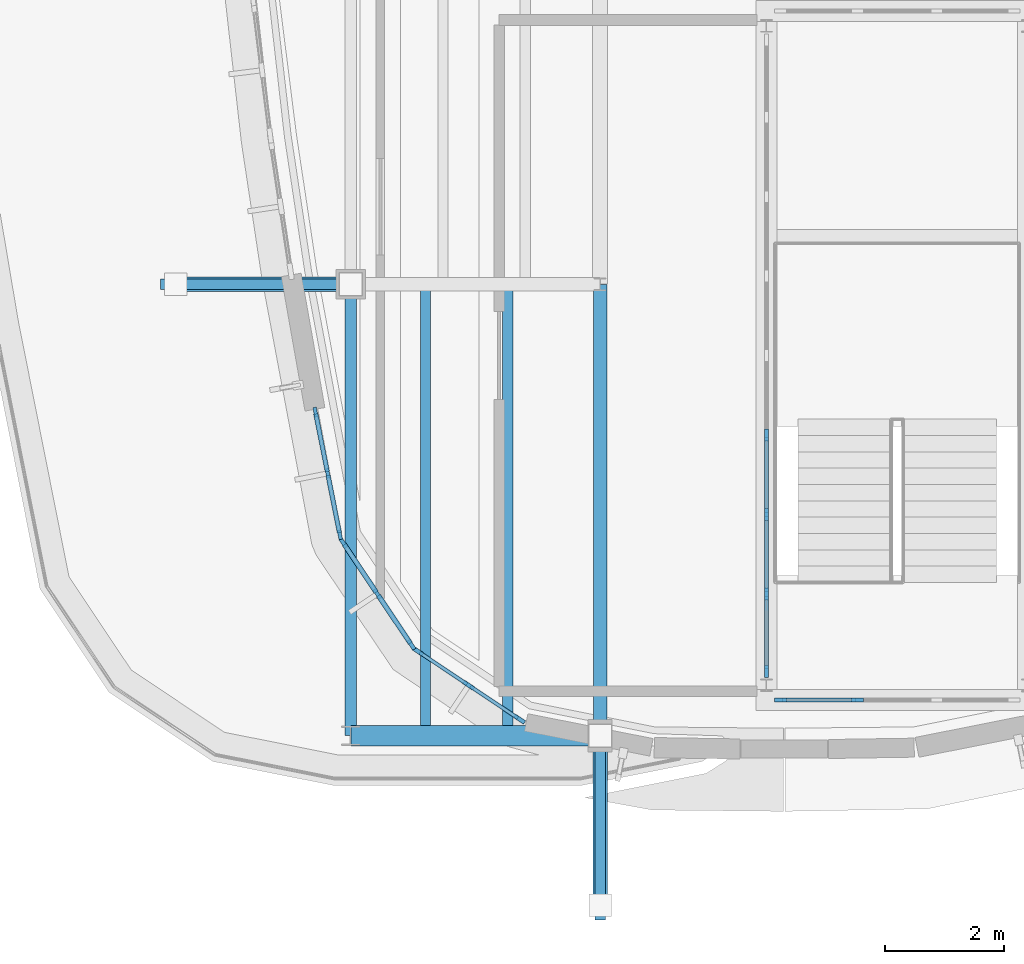
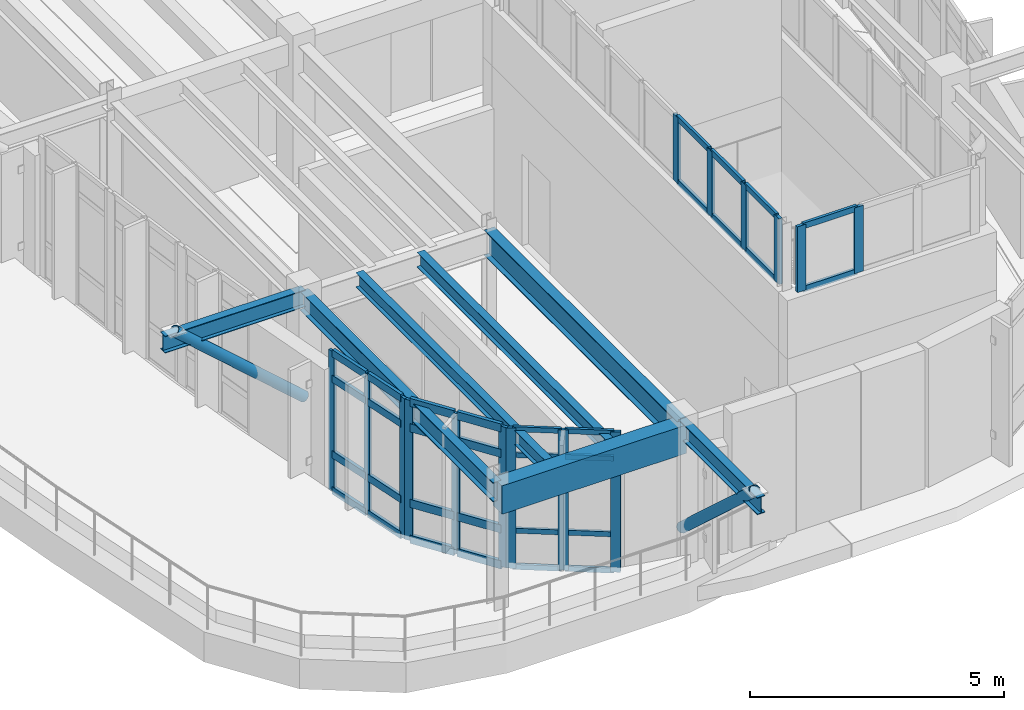
# One storey, part 3 of 20: 49 members, 7 beams, 5 elements without a shape of their own.
"""IFC4 building model written with IfcOpenShell, lengths in metres."""

from ifc_helpers import new_model, si_unit, direction, frame, origin, origin_2d, place, context, subcontext, project, spatial, rectangle, hollow_circle, i_section, extrude, material, material_profile, profile_set, type_object, element, aggregate, save


model = new_model("IFC4")

# Units and contexts
model_context = context("Model", 3, precision=1e-05, world=origin(), true_north=direction((0.0, 1.0)))
body_context = subcontext(model_context, "Body", "Model", "MODEL_VIEW")
ifc_project = project(units=[si_unit("LENGTHUNIT", "METRE"), si_unit("AREAUNIT", "SQUARE_METRE"), si_unit("VOLUMEUNIT", "CUBIC_METRE"), si_unit("PLANEANGLEUNIT", "RADIAN"), si_unit("MASSUNIT", "GRAM", prefix="KILO")], contexts=[model_context])

# Site, building, storey
site_placement = place(None, origin())
site = spatial("IfcSite", under=ifc_project, at=site_placement, CompositionType="ELEMENT")
building_placement = place(site_placement, origin())
building = spatial("IfcBuilding", under=site, at=building_placement, Name="Corveleigh Park Community Centre", CompositionType="ELEMENT")
storey_placement = place(building_placement, frame((0.0, 0.0, 19.800048828125)))
storey = spatial("IfcBuildingStorey", under=building, at=storey_placement, Name="L05", CompositionType="ELEMENT", Elevation=19.800048828125)

# Beams
ifc_material_1 = material(Name="Steel S355", Category="steel")
ifc_material_profile_1 = material_profile(ifc_material_1, i_section(OverallWidth=0.171142578125, OverallDepth=0.351318359375, WebThickness=0.007080078125, FlangeThickness=0.009765625, at=origin_2d()), Name="UKB 356x171x45", Category="steel")
ifc_profile_set_1 = profile_set([ifc_material_profile_1], Name="Steel S355")
beam_type_1 = type_object("IfcBeamType", Name="BM-STL-UKB356x45", PredefinedType="JOIST", material=ifc_profile_set_1)
for number, where, z_axis, x_axis, name in (
    (1, (155.06005859375, 58.60498046875, 3.13623046875), (0.0, 1.0, 0.0), (-1.0, 0.0, 0.0), "Secondary floor joist"),
    (2, (156.446044921875, 58.60498046875, 3.13623046875), (0.0, 1.0, 0.0), (-1.0, 0.0, 0.0), "Secondary floor joist"),
):
    element("IfcBeam", number, at=place(storey_placement, frame(where, z_axis=z_axis, x_axis=x_axis)), inside=storey, type_object=beam_type_1, Name=name, PredefinedType="JOIST", context=body_context, shape_type="SweptSolid", body=[
        extrude(i_section(OverallWidth=0.171142578125, OverallDepth=0.351318359375, WebThickness=0.007080078125, FlangeThickness=0.009765625, at=origin_2d()), origin(), (0.0, 0.0, 1.0), 7.590087890625),
    ])
ifc_material_profile_2 = material_profile(ifc_material_1, i_section(OverallWidth=0.1787109375, OverallDepth=0.409423828125, WebThickness=0.0087890625, FlangeThickness=0.014404296875, at=origin_2d()), Name="UKB 406x178x67", Category="steel")
ifc_profile_set_2 = profile_set([ifc_material_profile_2], Name="Steel S355")
beam_type_2 = type_object("IfcBeamType", Name="BM-STL-UKB406x67", PredefinedType="BEAM", material=ifc_profile_set_2)
beam_1_placement = place(storey_placement, frame((153.7900390625, 66.199951171875, 3.1591796875), z_axis=(-1.0, 0.0, 0.0), x_axis=(0.0, -1.0, 0.0)))
element("IfcBeam", 3, at=beam_1_placement, inside=storey, type_object=beam_type_2, Name="V4 Crown Overhang Strut X5Y1 Outrigger", PredefinedType="BEAM", context=body_context, shape_type="SweptSolid", body=[
    extrude(i_section(OverallWidth=0.1787109375, OverallDepth=0.409423828125, WebThickness=0.0087890625, FlangeThickness=0.014404296875, at=origin_2d()), origin(), (0.0, 0.0, 1.0), 3.18994140625),
])
beam_2_placement = place(storey_placement, frame((158.0, 58.590087890625, 3.1591796875), z_axis=(0.0, -1.0, 0.0), x_axis=(1.0, 0.0, 0.0)))
element("IfcBeam", 4, at=beam_2_placement, inside=storey, type_object=beam_type_2, Name="V4 Crown End Overhang Strut X6Y0 Outrigger", PredefinedType="BEAM", context=body_context, shape_type="SweptSolid", body=[
    extrude(i_section(OverallWidth=0.1787109375, OverallDepth=0.409423828125, WebThickness=0.0087890625, FlangeThickness=0.014404296875, at=origin_2d()), origin(), (0.0, 0.0, 1.0), 3.090087890625),
])
ifc_material_profile_3 = material_profile(ifc_material_1, i_section(OverallWidth=0.19140625, OverallDepth=0.4599609375, WebThickness=0.010009765625, FlangeThickness=0.01611328125, at=origin_2d()), Name="UKB 457x191x82", Category="steel")
ifc_profile_set_3 = profile_set([ifc_material_profile_3], Name="Steel S355")
beam_type_3 = type_object("IfcBeamType", Name="BM-STL-UKB457x82", PredefinedType="BEAM", material=ifc_profile_set_3)
beam_3_placement = place(storey_placement, frame((153.800048828125, 58.60498046875, 3.08203125), z_axis=(0.0, 1.0, 0.0), x_axis=(-1.0, 0.0, 0.0)))
element("IfcBeam", 5, at=beam_3_placement, inside=storey, type_object=beam_type_3, Name="V4 Girder Y", PredefinedType="BEAM", context=body_context, shape_type="SweptSolid", body=[
    extrude(i_section(OverallWidth=0.19140625, OverallDepth=0.4599609375, WebThickness=0.010009765625, FlangeThickness=0.01611328125, at=origin_2d()), origin(), (0.0, 0.0, 1.0), 7.590087890625),
])
ifc_material_profile_4 = material_profile(ifc_material_1, i_section(OverallWidth=0.22900390625, OverallDepth=0.6123046875, WebThickness=0.011962890625, FlangeThickness=0.01953125, at=origin_2d()), Name="UKB 610x229x125", Category="steel")
ifc_profile_set_4 = profile_set([ifc_material_profile_4], Name="Steel S355")
beam_type_4 = type_object("IfcBeamType", Name="BM-STL-UKB610x125", PredefinedType="BEAM", material=ifc_profile_set_4)
beam_4_placement = place(storey_placement, frame((158.0, 58.60498046875, 3.005859375), z_axis=(0.0, 1.0, 0.0), x_axis=(-1.0, 0.0, 0.0)))
element("IfcBeam", 6, at=beam_4_placement, inside=storey, type_object=beam_type_4, Name="V4 Girder Y", PredefinedType="BEAM", context=body_context, shape_type="SweptSolid", body=[
    extrude(i_section(OverallWidth=0.22900390625, OverallDepth=0.6123046875, WebThickness=0.011962890625, FlangeThickness=0.01953125, at=origin_2d()), origin(), (0.0, 0.0, 1.0), 7.590087890625),
])

# Curtain wall, members
ifc_material_2 = material(Name="Anodised aluminium 6063-T6", Category="aluminium")
curtain_wall_type = type_object("IfcCurtainWallType", Name="CW-SYS-V4-L03", PredefinedType="NOTDEFINED", material=ifc_material_2)
curtain_wall_1_placement = place(storey_placement, origin())
curtain_wall_1 = element("IfcCurtainWall", 7, at=curtain_wall_1_placement, inside=storey, type_object=curtain_wall_type, Name="V4 L05 Curtain Wall 499", PredefinedType="NOTDEFINED")
ifc_material_profile_5 = material_profile(ifc_material_2, rectangle(XDim=0.06005859375, YDim=0.159912109375, at=origin_2d()), Name="ALU-M60x160", Category="aluminium")
ifc_profile_set_5 = profile_set([ifc_material_profile_5], Name="Anodised aluminium 6063-T6")
member_type_1 = type_object("IfcMemberType", Name="CWM-60x160", PredefinedType="MULLION", material=ifc_profile_set_5)
member_1_placement = place(storey_placement, frame((153.6181640625, 61.984375, 0.0), z_axis=(0.0, 0.0, 1.0), x_axis=(-0.980846064785, -0.194784489103, 0.0)))
member_1 = element("IfcMember", 8, at=member_1_placement, type_object=member_type_1, Name="CW09 mullion 1", PredefinedType="MULLION", context=body_context, shape_type="SweptSolid", body=[
    extrude(rectangle(XDim=0.06005859375, YDim=0.159912109375, at=origin_2d()), origin(), (0.0, 0.0, 1.0), 3.364013671875),
])
member_2_placement = place(storey_placement, frame((153.4130859375, 63.017578125, 0.0), z_axis=(0.0, 0.0, 1.0), x_axis=(-0.980846064785, -0.194784489103, 0.0)))
member_2 = element("IfcMember", 9, at=member_2_placement, type_object=member_type_1, Name="CW09 mullion 2", PredefinedType="MULLION", context=body_context, shape_type="SweptSolid", body=[
    extrude(rectangle(XDim=0.06005859375, YDim=0.159912109375, at=origin_2d()), origin(), (0.0, 0.0, 1.0), 3.364013671875),
])
member_3_placement = place(storey_placement, frame((153.207763671875, 64.050537109375, 0.0), z_axis=(0.0, 0.0, 1.0), x_axis=(-0.980846064785, -0.194784489103, 0.0)))
member_3 = element("IfcMember", 10, at=member_3_placement, type_object=member_type_1, Name="CW09 mullion 3", PredefinedType="MULLION", context=body_context, shape_type="SweptSolid", body=[
    extrude(rectangle(XDim=0.06005859375, YDim=0.159912109375, at=origin_2d()), origin(), (0.0, 0.0, 1.0), 3.364013671875),
])

curtain_wall_2_placement = place(storey_placement, origin())
curtain_wall_2 = element("IfcCurtainWall", 11, at=curtain_wall_2_placement, inside=storey, type_object=curtain_wall_type, Name="V4 L05 Curtain Wall 500", PredefinedType="NOTDEFINED")
ifc_material_profile_6 = material_profile(ifc_material_2, rectangle(XDim=0.06494140625, YDim=0.179931640625, at=origin_2d()), Name="ALU-M65x180", Category="aluminium")
ifc_profile_set_6 = profile_set([ifc_material_profile_6], Name="Anodised aluminium 6063-T6")
member_type_2 = type_object("IfcMemberType", Name="CWM-65x180", PredefinedType="MULLION", material=ifc_profile_set_6)
member_4_placement = place(storey_placement, frame((154.822998046875, 60.130126953125, 0.0), z_axis=(0.0, 0.0, 1.0), x_axis=(-0.831544296886, -0.555458443376, 0.0)))
member_4 = element("IfcMember", 12, at=member_4_placement, type_object=member_type_2, Name="CW09 mullion 1", PredefinedType="MULLION", context=body_context, shape_type="SweptSolid", body=[
    extrude(rectangle(XDim=0.06494140625, YDim=0.179931640625, at=origin_2d()), origin(), (0.0, 0.0, 1.0), 3.364013671875),
])
member_5_placement = place(storey_placement, frame((154.24951171875, 60.988525390625, 0.0), z_axis=(0.0, 0.0, 1.0), x_axis=(-0.831544296886, -0.555458443376, 0.0)))
member_5 = element("IfcMember", 13, at=member_5_placement, type_object=member_type_2, Name="CW09 mullion 2", PredefinedType="MULLION", context=body_context, shape_type="SweptSolid", body=[
    extrude(rectangle(XDim=0.06494140625, YDim=0.179931640625, at=origin_2d()), origin(), (0.0, 0.0, 1.0), 3.364013671875),
])
member_6_placement = place(storey_placement, frame((153.676025390625, 61.846923828125, 0.0), z_axis=(0.0, 0.0, 1.0), x_axis=(-0.831544296886, -0.555458443376, 0.0)))
member_6 = element("IfcMember", 14, at=member_6_placement, type_object=member_type_2, Name="CW09 mullion 3", PredefinedType="MULLION", context=body_context, shape_type="SweptSolid", body=[
    extrude(rectangle(XDim=0.06494140625, YDim=0.179931640625, at=origin_2d()), origin(), (0.0, 0.0, 1.0), 3.364013671875),
])

curtain_wall_3_placement = place(storey_placement, origin())
curtain_wall_3 = element("IfcCurtainWall", 15, at=curtain_wall_3_placement, inside=storey, type_object=curtain_wall_type, Name="V4 L05 Curtain Wall 501", PredefinedType="NOTDEFINED")
ifc_material_profile_7 = material_profile(ifc_material_2, rectangle(XDim=0.070068359375, YDim=0.199951171875, at=origin_2d()), Name="ALU-M70x200", Category="aluminium")
ifc_profile_set_7 = profile_set([ifc_material_profile_7], Name="Anodised aluminium 6063-T6")
member_type_3 = type_object("IfcMemberType", Name="CWM-70x200", PredefinedType="MULLION", material=ifc_profile_set_7)
member_7_placement = place(storey_placement, frame((156.644775390625, 58.87744140625, 0.0), z_axis=(0.0, 0.0, 1.0), x_axis=(-0.555458443376, -0.831544296886, 0.0)))
member_7 = element("IfcMember", 16, at=member_7_placement, type_object=member_type_3, Name="CW09 mullion 1", PredefinedType="MULLION", context=body_context, shape_type="SweptSolid", body=[
    extrude(rectangle(XDim=0.070068359375, YDim=0.199951171875, at=origin_2d()), origin(), (0.0, 0.0, 1.0), 3.364013671875),
])
member_8_placement = place(storey_placement, frame((155.78857421875, 59.449462890625, 0.0), z_axis=(0.0, 0.0, 1.0), x_axis=(-0.555458443376, -0.831544296886, 0.0)))
member_8 = element("IfcMember", 17, at=member_8_placement, type_object=member_type_3, Name="CW09 mullion 2", PredefinedType="MULLION", context=body_context, shape_type="SweptSolid", body=[
    extrude(rectangle(XDim=0.070068359375, YDim=0.199951171875, at=origin_2d()), origin(), (0.0, 0.0, 1.0), 3.364013671875),
])
member_9_placement = place(storey_placement, frame((154.93212890625, 60.021484375, 0.0), z_axis=(0.0, 0.0, 1.0), x_axis=(-0.555458443376, -0.831544296886, 0.0)))
member_9 = element("IfcMember", 18, at=member_9_placement, type_object=member_type_3, Name="CW09 mullion 3", PredefinedType="MULLION", context=body_context, shape_type="SweptSolid", body=[
    extrude(rectangle(XDim=0.070068359375, YDim=0.199951171875, at=origin_2d()), origin(), (0.0, 0.0, 1.0), 3.364013671875),
])

curtain_wall_4_placement = place(storey_placement, origin())
curtain_wall_4 = element("IfcCurtainWall", 19, at=curtain_wall_4_placement, inside=storey, type_object=curtain_wall_type, Name="Crown Lantern S Clerestory", PredefinedType="NOTDEFINED")
member_10_placement = place(storey_placement, frame((161.034912109375, 59.199951171875, 5.0), z_axis=(0.0, 0.0, 1.0), x_axis=(0.0, 1.0, 0.0)))
member_10 = element("IfcMember", 20, at=member_10_placement, type_object=member_type_3, Name="CW09 mullion 1", PredefinedType="MULLION", context=body_context, shape_type="SweptSolid", body=[
    extrude(rectangle(XDim=0.070068359375, YDim=0.199951171875, at=origin_2d()), origin(), (0.0, 0.0, 1.0), 1.579833984375),
])
member_11_placement = place(storey_placement, frame((162.333251953125, 59.199951171875, 5.0), z_axis=(0.0, 0.0, 1.0), x_axis=(0.0, 1.0, 0.0)))
member_11 = element("IfcMember", 21, at=member_11_placement, type_object=member_type_3, Name="CW09 mullion 2", PredefinedType="MULLION", context=body_context, shape_type="SweptSolid", body=[
    extrude(rectangle(XDim=0.070068359375, YDim=0.199951171875, at=origin_2d()), origin(), (0.0, 0.0, 1.0), 1.579833984375),
])

curtain_wall_5_placement = place(storey_placement, origin())
curtain_wall_5 = element("IfcCurtainWall", 22, at=curtain_wall_5_placement, inside=storey, type_object=curtain_wall_type, Name="Crown Lantern W Clerestory", PredefinedType="NOTDEFINED")
member_12_placement = place(storey_placement, frame((160.800048828125, 63.66259765625, 5.0), z_axis=(0.0, 0.0, 1.0), x_axis=(1.0, 0.0, 0.0)))
member_12 = element("IfcMember", 23, at=member_12_placement, type_object=member_type_3, Name="CW09 mullion 6", PredefinedType="MULLION", context=body_context, shape_type="SweptSolid", body=[
    extrude(rectangle(XDim=0.070068359375, YDim=0.199951171875, at=origin_2d()), origin(), (0.0, 0.0, 1.0), 1.579833984375),
])
member_13_placement = place(storey_placement, frame((160.800048828125, 62.324951171875, 5.0), z_axis=(0.0, 0.0, 1.0), x_axis=(1.0, 0.0, 0.0)))
member_13 = element("IfcMember", 24, at=member_13_placement, type_object=member_type_3, Name="CW09 mullion 7", PredefinedType="MULLION", context=body_context, shape_type="SweptSolid", body=[
    extrude(rectangle(XDim=0.070068359375, YDim=0.199951171875, at=origin_2d()), origin(), (0.0, 0.0, 1.0), 1.579833984375),
])
member_14_placement = place(storey_placement, frame((160.800048828125, 60.987548828125, 5.0), z_axis=(0.0, 0.0, 1.0), x_axis=(1.0, 0.0, 0.0)))
member_14 = element("IfcMember", 25, at=member_14_placement, type_object=member_type_3, Name="CW09 mullion 8", PredefinedType="MULLION", context=body_context, shape_type="SweptSolid", body=[
    extrude(rectangle(XDim=0.070068359375, YDim=0.199951171875, at=origin_2d()), origin(), (0.0, 0.0, 1.0), 1.579833984375),
])
member_15_placement = place(storey_placement, frame((160.800048828125, 59.68505859375, 5.0), z_axis=(0.0, 0.0, 1.0), x_axis=(1.0, 0.0, 0.0)))
member_15 = element("IfcMember", 26, at=member_15_placement, type_object=member_type_3, Name="CW09 mullion 9", PredefinedType="MULLION", context=body_context, shape_type="SweptSolid", body=[
    extrude(rectangle(XDim=0.070068359375, YDim=0.199951171875, at=origin_2d()), origin(), (0.0, 0.0, 1.0), 1.579833984375),
])

# Member
ifc_material_profile_8 = material_profile(ifc_material_2, rectangle(XDim=0.06005859375, YDim=0.1201171875, at=origin_2d()), Name="ALU-T60x120", Category="aluminium")
ifc_profile_set_8 = profile_set([ifc_material_profile_8], Name="Anodised aluminium 6063-T6")
member_type_4 = type_object("IfcMemberType", Name="CWT-60x120", PredefinedType="USERDEFINED", material=ifc_profile_set_8)
member_16_placement = place(storey_placement, frame((156.61572265625, 58.89697265625, 0.030029296875), z_axis=(-0.831502036743, 0.555521703349, 0.0), x_axis=(-0.555521703349, -0.831502036743, 0.0)))
member_16 = element("IfcMember", 27, at=member_16_placement, type_object=member_type_4, Name="CW09 transom 1.1", ObjectType="TRANSOM", PredefinedType="USERDEFINED", context=body_context, shape_type="SweptSolid", body=[
    extrude(rectangle(XDim=0.06005859375, YDim=0.1201171875, at=origin_2d()), origin(), (0.0, 0.0, 1.0), 0.959716796875),
])

member_17_placement = place(storey_placement, frame((156.61572265625, 58.89697265625, 0.89990234375), z_axis=(-0.831502036743, 0.555521703349, 0.0), x_axis=(-0.555521703349, -0.831502036743, 0.0)))
member_17 = element("IfcMember", 28, at=member_17_placement, type_object=member_type_4, Name="CW09 transom 1.2", ObjectType="TRANSOM", PredefinedType="USERDEFINED", context=body_context, shape_type="SweptSolid", body=[
    extrude(rectangle(XDim=0.06005859375, YDim=0.1201171875, at=origin_2d()), origin(), (0.0, 0.0, 1.0), 0.959716796875),
])

member_18_placement = place(storey_placement, frame((156.61572265625, 58.89697265625, 2.7138671875), z_axis=(-0.831502036743, 0.555521703349, 0.0), x_axis=(-0.555521703349, -0.831502036743, 0.0)))
member_18 = element("IfcMember", 29, at=member_18_placement, type_object=member_type_4, Name="CW09 transom 1.3", ObjectType="TRANSOM", PredefinedType="USERDEFINED", context=body_context, shape_type="SweptSolid", body=[
    extrude(rectangle(XDim=0.06005859375, YDim=0.1201171875, at=origin_2d()), origin(), (0.0, 0.0, 1.0), 0.959716796875),
])

member_19_placement = place(storey_placement, frame((156.61572265625, 58.89697265625, 3.333984375), z_axis=(-0.831502036743, 0.555521703349, 0.0), x_axis=(-0.555521703349, -0.831502036743, 0.0)))
member_19 = element("IfcMember", 30, at=member_19_placement, type_object=member_type_4, Name="CW09 transom 1.4", ObjectType="TRANSOM", PredefinedType="USERDEFINED", context=body_context, shape_type="SweptSolid", body=[
    extrude(rectangle(XDim=0.06005859375, YDim=0.1201171875, at=origin_2d()), origin(), (0.0, 0.0, 1.0), 0.959716796875),
])

member_20_placement = place(storey_placement, frame((155.75927734375, 59.468994140625, 0.030029296875), z_axis=(-0.831502036743, 0.555521703349, 0.0), x_axis=(-0.555521703349, -0.831502036743, 0.0)))
member_20 = element("IfcMember", 31, at=member_20_placement, type_object=member_type_4, Name="CW09 transom 2.1", ObjectType="TRANSOM", PredefinedType="USERDEFINED", context=body_context, shape_type="SweptSolid", body=[
    extrude(rectangle(XDim=0.06005859375, YDim=0.1201171875, at=origin_2d()), origin(), (0.0, 0.0, 1.0), 0.959716796875),
])

member_21_placement = place(storey_placement, frame((155.75927734375, 59.468994140625, 0.89990234375), z_axis=(-0.831502036743, 0.555521703349, 0.0), x_axis=(-0.555521703349, -0.831502036743, 0.0)))
member_21 = element("IfcMember", 32, at=member_21_placement, type_object=member_type_4, Name="CW09 transom 2.2", ObjectType="TRANSOM", PredefinedType="USERDEFINED", context=body_context, shape_type="SweptSolid", body=[
    extrude(rectangle(XDim=0.06005859375, YDim=0.1201171875, at=origin_2d()), origin(), (0.0, 0.0, 1.0), 0.959716796875),
])

member_22_placement = place(storey_placement, frame((155.75927734375, 59.468994140625, 2.7138671875), z_axis=(-0.831502036743, 0.555521703349, 0.0), x_axis=(-0.555521703349, -0.831502036743, 0.0)))
member_22 = element("IfcMember", 33, at=member_22_placement, type_object=member_type_4, Name="CW09 transom 2.3", ObjectType="TRANSOM", PredefinedType="USERDEFINED", context=body_context, shape_type="SweptSolid", body=[
    extrude(rectangle(XDim=0.06005859375, YDim=0.1201171875, at=origin_2d()), origin(), (0.0, 0.0, 1.0), 0.959716796875),
])

member_23_placement = place(storey_placement, frame((155.75927734375, 59.468994140625, 3.333984375), z_axis=(-0.831502036743, 0.555521703349, 0.0), x_axis=(-0.555521703349, -0.831502036743, 0.0)))
member_23 = element("IfcMember", 34, at=member_23_placement, type_object=member_type_4, Name="CW09 transom 2.4", ObjectType="TRANSOM", PredefinedType="USERDEFINED", context=body_context, shape_type="SweptSolid", body=[
    extrude(rectangle(XDim=0.06005859375, YDim=0.1201171875, at=origin_2d()), origin(), (0.0, 0.0, 1.0), 0.959716796875),
])

aggregate(curtain_wall_3, [member_7, member_8, member_9, member_16, member_17, member_18, member_19, member_20, member_21, member_22, member_23])

ifc_material_profile_9 = material_profile(ifc_material_2, rectangle(XDim=0.06494140625, YDim=0.139892578125, at=origin_2d()), Name="ALU-T65x140", Category="aluminium")
ifc_profile_set_9 = profile_set([ifc_material_profile_9], Name="Anodised aluminium 6063-T6")
member_type_5 = type_object("IfcMemberType", Name="CWT-65x140", PredefinedType="USERDEFINED", material=ifc_profile_set_9)
member_24_placement = place(storey_placement, frame((161.070068359375, 59.199951171875, 5.032470703125), z_axis=(1.0, 0.0, 0.0), x_axis=(0.0, 1.0, 0.0)))
member_24 = element("IfcMember", 35, at=member_24_placement, type_object=member_type_5, Name="CW09 transom 1.1", ObjectType="TRANSOM", PredefinedType="USERDEFINED", context=body_context, shape_type="SweptSolid", body=[
    extrude(rectangle(XDim=0.06494140625, YDim=0.139892578125, at=origin_2d()), origin(), (0.0, 0.0, 1.0), 1.228271484375),
])

member_25_placement = place(storey_placement, frame((161.070068359375, 59.199951171875, 6.54736328125), z_axis=(1.0, 0.0, 0.0), x_axis=(0.0, 1.0, 0.0)))
member_25 = element("IfcMember", 36, at=member_25_placement, type_object=member_type_5, Name="CW09 transom 1.2", ObjectType="TRANSOM", PredefinedType="USERDEFINED", context=body_context, shape_type="SweptSolid", body=[
    extrude(rectangle(XDim=0.06494140625, YDim=0.139892578125, at=origin_2d()), origin(), (0.0, 0.0, 1.0), 1.228271484375),
])

aggregate(curtain_wall_4, [member_10, member_11, member_24, member_25])

member_26_placement = place(storey_placement, frame((160.800048828125, 63.62744140625, 5.032470703125), z_axis=(0.0, -1.0, 0.0), x_axis=(1.0, 0.0, 0.0)))
member_26 = element("IfcMember", 37, at=member_26_placement, type_object=member_type_5, Name="CW09 transom 6.1", ObjectType="TRANSOM", PredefinedType="USERDEFINED", context=body_context, shape_type="SweptSolid", body=[
    extrude(rectangle(XDim=0.06494140625, YDim=0.139892578125, at=origin_2d()), origin(), (0.0, 0.0, 1.0), 1.267333984375),
])

member_27_placement = place(storey_placement, frame((160.800048828125, 63.62744140625, 6.54736328125), z_axis=(0.0, -1.0, 0.0), x_axis=(1.0, 0.0, 0.0)))
member_27 = element("IfcMember", 38, at=member_27_placement, type_object=member_type_5, Name="CW09 transom 6.2", ObjectType="TRANSOM", PredefinedType="USERDEFINED", context=body_context, shape_type="SweptSolid", body=[
    extrude(rectangle(XDim=0.06494140625, YDim=0.139892578125, at=origin_2d()), origin(), (0.0, 0.0, 1.0), 1.267333984375),
])

member_28_placement = place(storey_placement, frame((160.800048828125, 62.2900390625, 5.032470703125), z_axis=(0.0, -1.0, 0.0), x_axis=(1.0, 0.0, 0.0)))
member_28 = element("IfcMember", 39, at=member_28_placement, type_object=member_type_5, Name="CW09 transom 7.1", ObjectType="TRANSOM", PredefinedType="USERDEFINED", context=body_context, shape_type="SweptSolid", body=[
    extrude(rectangle(XDim=0.06494140625, YDim=0.139892578125, at=origin_2d()), origin(), (0.0, 0.0, 1.0), 1.267578125),
])

member_29_placement = place(storey_placement, frame((160.800048828125, 62.2900390625, 6.54736328125), z_axis=(0.0, -1.0, 0.0), x_axis=(1.0, 0.0, 0.0)))
member_29 = element("IfcMember", 40, at=member_29_placement, type_object=member_type_5, Name="CW09 transom 7.2", ObjectType="TRANSOM", PredefinedType="USERDEFINED", context=body_context, shape_type="SweptSolid", body=[
    extrude(rectangle(XDim=0.06494140625, YDim=0.139892578125, at=origin_2d()), origin(), (0.0, 0.0, 1.0), 1.267578125),
])

member_30_placement = place(storey_placement, frame((160.800048828125, 60.952392578125, 5.032470703125), z_axis=(0.0, -1.0, 0.0), x_axis=(1.0, 0.0, 0.0)))
member_30 = element("IfcMember", 41, at=member_30_placement, type_object=member_type_5, Name="CW09 transom 8.1", ObjectType="TRANSOM", PredefinedType="USERDEFINED", context=body_context, shape_type="SweptSolid", body=[
    extrude(rectangle(XDim=0.06494140625, YDim=0.139892578125, at=origin_2d()), origin(), (0.0, 0.0, 1.0), 1.232421875),
])

member_31_placement = place(storey_placement, frame((160.800048828125, 60.952392578125, 6.54736328125), z_axis=(0.0, -1.0, 0.0), x_axis=(1.0, 0.0, 0.0)))
member_31 = element("IfcMember", 42, at=member_31_placement, type_object=member_type_5, Name="CW09 transom 8.2", ObjectType="TRANSOM", PredefinedType="USERDEFINED", context=body_context, shape_type="SweptSolid", body=[
    extrude(rectangle(XDim=0.06494140625, YDim=0.139892578125, at=origin_2d()), origin(), (0.0, 0.0, 1.0), 1.232421875),
])

aggregate(curtain_wall_5, [member_12, member_13, member_14, member_15, member_26, member_27, member_28, member_29, member_30, member_31])

ifc_material_profile_10 = material_profile(ifc_material_2, rectangle(XDim=0.074951171875, YDim=0.175048828125, at=origin_2d()), Name="ALU-T75x175", Category="aluminium")
ifc_profile_set_10 = profile_set([ifc_material_profile_10], Name="Anodised aluminium 6063-T6")
member_type_6 = type_object("IfcMemberType", Name="CWT-75x175", PredefinedType="USERDEFINED", material=ifc_profile_set_10)
member_32_placement = place(storey_placement, frame((153.6123046875, 62.013916015625, 0.037353515625), z_axis=(-0.194697677696, 0.980863300516, 0.0), x_axis=(-0.980863300516, -0.194697677696, 0.0)))
member_32 = element("IfcMember", 43, at=member_32_placement, type_object=member_type_6, Name="CW09 transom 1.1", ObjectType="TRANSOM", PredefinedType="USERDEFINED", context=body_context, shape_type="SweptSolid", body=[
    extrude(rectangle(XDim=0.074951171875, YDim=0.175048828125, at=origin_2d()), origin(), (0.0, 0.0, 1.0), 0.9931640625),
])

member_33_placement = place(storey_placement, frame((153.6123046875, 62.013916015625, 0.89990234375), z_axis=(-0.194697677696, 0.980863300516, 0.0), x_axis=(-0.980863300516, -0.194697677696, 0.0)))
member_33 = element("IfcMember", 44, at=member_33_placement, type_object=member_type_6, Name="CW09 transom 1.2", ObjectType="TRANSOM", PredefinedType="USERDEFINED", context=body_context, shape_type="SweptSolid", body=[
    extrude(rectangle(XDim=0.074951171875, YDim=0.175048828125, at=origin_2d()), origin(), (0.0, 0.0, 1.0), 0.9931640625),
])

member_34_placement = place(storey_placement, frame((153.6123046875, 62.013916015625, 2.7138671875), z_axis=(-0.194697677696, 0.980863300516, 0.0), x_axis=(-0.980863300516, -0.194697677696, 0.0)))
member_34 = element("IfcMember", 45, at=member_34_placement, type_object=member_type_6, Name="CW09 transom 1.3", ObjectType="TRANSOM", PredefinedType="USERDEFINED", context=body_context, shape_type="SweptSolid", body=[
    extrude(rectangle(XDim=0.074951171875, YDim=0.175048828125, at=origin_2d()), origin(), (0.0, 0.0, 1.0), 0.9931640625),
])

member_35_placement = place(storey_placement, frame((153.6123046875, 62.013916015625, 3.326416015625), z_axis=(-0.194697677696, 0.980863300516, 0.0), x_axis=(-0.980863300516, -0.194697677696, 0.0)))
member_35 = element("IfcMember", 46, at=member_35_placement, type_object=member_type_6, Name="CW09 transom 1.4", ObjectType="TRANSOM", PredefinedType="USERDEFINED", context=body_context, shape_type="SweptSolid", body=[
    extrude(rectangle(XDim=0.074951171875, YDim=0.175048828125, at=origin_2d()), origin(), (0.0, 0.0, 1.0), 0.9931640625),
])

member_36_placement = place(storey_placement, frame((153.4072265625, 63.046875, 0.037353515625), z_axis=(-0.194887184279, 0.980825665143, 0.0), x_axis=(-0.980825665143, -0.194887184279, 0.0)))
member_36 = element("IfcMember", 47, at=member_36_placement, type_object=member_type_6, Name="CW09 transom 2.1", ObjectType="TRANSOM", PredefinedType="USERDEFINED", context=body_context, shape_type="SweptSolid", body=[
    extrude(rectangle(XDim=0.074951171875, YDim=0.175048828125, at=origin_2d()), origin(), (0.0, 0.0, 1.0), 0.993408203125),
])

member_37_placement = place(storey_placement, frame((153.4072265625, 63.046875, 0.89990234375), z_axis=(-0.194887184279, 0.980825665143, 0.0), x_axis=(-0.980825665143, -0.194887184279, 0.0)))
member_37 = element("IfcMember", 48, at=member_37_placement, type_object=member_type_6, Name="CW09 transom 2.2", ObjectType="TRANSOM", PredefinedType="USERDEFINED", context=body_context, shape_type="SweptSolid", body=[
    extrude(rectangle(XDim=0.074951171875, YDim=0.175048828125, at=origin_2d()), origin(), (0.0, 0.0, 1.0), 0.993408203125),
])

member_38_placement = place(storey_placement, frame((153.4072265625, 63.046875, 2.7138671875), z_axis=(-0.194887184279, 0.980825665143, 0.0), x_axis=(-0.980825665143, -0.194887184279, 0.0)))
member_38 = element("IfcMember", 49, at=member_38_placement, type_object=member_type_6, Name="CW09 transom 2.3", ObjectType="TRANSOM", PredefinedType="USERDEFINED", context=body_context, shape_type="SweptSolid", body=[
    extrude(rectangle(XDim=0.074951171875, YDim=0.175048828125, at=origin_2d()), origin(), (0.0, 0.0, 1.0), 0.993408203125),
])

member_39_placement = place(storey_placement, frame((153.4072265625, 63.046875, 3.326416015625), z_axis=(-0.194887184279, 0.980825665143, 0.0), x_axis=(-0.980825665143, -0.194887184279, 0.0)))
member_39 = element("IfcMember", 50, at=member_39_placement, type_object=member_type_6, Name="CW09 transom 2.4", ObjectType="TRANSOM", PredefinedType="USERDEFINED", context=body_context, shape_type="SweptSolid", body=[
    extrude(rectangle(XDim=0.074951171875, YDim=0.175048828125, at=origin_2d()), origin(), (0.0, 0.0, 1.0), 0.993408203125),
])

aggregate(curtain_wall_1, [member_1, member_2, member_3, member_32, member_33, member_34, member_35, member_36, member_37, member_38, member_39])

ifc_material_profile_11 = material_profile(ifc_material_2, rectangle(XDim=0.080078125, YDim=0.195068359375, at=origin_2d()), Name="ALU-T80x195", Category="aluminium")
ifc_profile_set_11 = profile_set([ifc_material_profile_11], Name="Anodised aluminium 6063-T6")
member_type_7 = type_object("IfcMemberType", Name="CWT-80x195", PredefinedType="USERDEFINED", material=ifc_profile_set_11)
member_40_placement = place(storey_placement, frame((154.804931640625, 60.156982421875, 0.0400390625), z_axis=(-0.555457063909, 0.831545218346, 0.0), x_axis=(-0.831545218346, -0.555457063909, 0.0)))
member_40 = element("IfcMember", 51, at=member_40_placement, type_object=member_type_7, Name="CW09 transom 1.1", ObjectType="TRANSOM", PredefinedType="USERDEFINED", context=body_context, shape_type="SweptSolid", body=[
    extrude(rectangle(XDim=0.080078125, YDim=0.195068359375, at=origin_2d()), origin(), (0.0, 0.0, 1.0), 0.967529296875),
])

member_41_placement = place(storey_placement, frame((154.804931640625, 60.156982421875, 0.89990234375), z_axis=(-0.555457063909, 0.831545218346, 0.0), x_axis=(-0.831545218346, -0.555457063909, 0.0)))
member_41 = element("IfcMember", 52, at=member_41_placement, type_object=member_type_7, Name="CW09 transom 1.2", ObjectType="TRANSOM", PredefinedType="USERDEFINED", context=body_context, shape_type="SweptSolid", body=[
    extrude(rectangle(XDim=0.080078125, YDim=0.195068359375, at=origin_2d()), origin(), (0.0, 0.0, 1.0), 0.967529296875),
])

member_42_placement = place(storey_placement, frame((154.804931640625, 60.156982421875, 2.7138671875), z_axis=(-0.555457063909, 0.831545218346, 0.0), x_axis=(-0.831545218346, -0.555457063909, 0.0)))
member_42 = element("IfcMember", 53, at=member_42_placement, type_object=member_type_7, Name="CW09 transom 1.3", ObjectType="TRANSOM", PredefinedType="USERDEFINED", context=body_context, shape_type="SweptSolid", body=[
    extrude(rectangle(XDim=0.080078125, YDim=0.195068359375, at=origin_2d()), origin(), (0.0, 0.0, 1.0), 0.967529296875),
])

member_43_placement = place(storey_placement, frame((154.804931640625, 60.156982421875, 3.323974609375), z_axis=(-0.555457063909, 0.831545218346, 0.0), x_axis=(-0.831545218346, -0.555457063909, 0.0)))
member_43 = element("IfcMember", 54, at=member_43_placement, type_object=member_type_7, Name="CW09 transom 1.4", ObjectType="TRANSOM", PredefinedType="USERDEFINED", context=body_context, shape_type="SweptSolid", body=[
    extrude(rectangle(XDim=0.080078125, YDim=0.195068359375, at=origin_2d()), origin(), (0.0, 0.0, 1.0), 0.967529296875),
])

member_44_placement = place(storey_placement, frame((154.2314453125, 61.015625, 0.0400390625), z_axis=(-0.555457063909, 0.831545218346, 0.0), x_axis=(-0.831545218346, -0.555457063909, 0.0)))
member_44 = element("IfcMember", 55, at=member_44_placement, type_object=member_type_7, Name="CW09 transom 2.1", ObjectType="TRANSOM", PredefinedType="USERDEFINED", context=body_context, shape_type="SweptSolid", body=[
    extrude(rectangle(XDim=0.080078125, YDim=0.195068359375, at=origin_2d()), origin(), (0.0, 0.0, 1.0), 0.967529296875),
])

member_45_placement = place(storey_placement, frame((154.2314453125, 61.015625, 0.89990234375), z_axis=(-0.555457063909, 0.831545218346, 0.0), x_axis=(-0.831545218346, -0.555457063909, 0.0)))
member_45 = element("IfcMember", 56, at=member_45_placement, type_object=member_type_7, Name="CW09 transom 2.2", ObjectType="TRANSOM", PredefinedType="USERDEFINED", context=body_context, shape_type="SweptSolid", body=[
    extrude(rectangle(XDim=0.080078125, YDim=0.195068359375, at=origin_2d()), origin(), (0.0, 0.0, 1.0), 0.967529296875),
])

member_46_placement = place(storey_placement, frame((154.2314453125, 61.015625, 2.7138671875), z_axis=(-0.555457063909, 0.831545218346, 0.0), x_axis=(-0.831545218346, -0.555457063909, 0.0)))
member_46 = element("IfcMember", 57, at=member_46_placement, type_object=member_type_7, Name="CW09 transom 2.3", ObjectType="TRANSOM", PredefinedType="USERDEFINED", context=body_context, shape_type="SweptSolid", body=[
    extrude(rectangle(XDim=0.080078125, YDim=0.195068359375, at=origin_2d()), origin(), (0.0, 0.0, 1.0), 0.967529296875),
])

member_47_placement = place(storey_placement, frame((154.2314453125, 61.015625, 3.323974609375), z_axis=(-0.555457063909, 0.831545218346, 0.0), x_axis=(-0.831545218346, -0.555457063909, 0.0)))
member_47 = element("IfcMember", 58, at=member_47_placement, type_object=member_type_7, Name="CW09 transom 2.4", ObjectType="TRANSOM", PredefinedType="USERDEFINED", context=body_context, shape_type="SweptSolid", body=[
    extrude(rectangle(XDim=0.080078125, YDim=0.195068359375, at=origin_2d()), origin(), (0.0, 0.0, 1.0), 0.967529296875),
])

aggregate(curtain_wall_2, [member_4, member_5, member_6, member_40, member_41, member_42, member_43, member_44, member_45, member_46, member_47])

# Members
ifc_material_profile_12 = material_profile(ifc_material_1, hollow_circle(Radius=0.122314453125, WallThickness=0.012451171875, at=origin_2d()), Name="CHS 244.5x12.5", Category="steel")
ifc_profile_set_12 = profile_set([ifc_material_profile_12], Name="Steel S355")
member_type_8 = type_object("IfcMemberType", Name="MEM-STR-CHS245", PredefinedType="STRUT", material=ifc_profile_set_12)
member_48_placement = place(storey_placement, frame((153.800048828125, 66.199951171875, 0.75), z_axis=(-0.748675336061, 0.0, 0.662936830455), x_axis=(0.0, -1.0, 0.0)))
element("IfcMember", 59, at=member_48_placement, inside=storey, type_object=member_type_8, Name="V4 Crown Overhang Strut X5Y1", PredefinedType="STRUT", context=body_context, shape_type="SweptSolid", body=[
    extrude(hollow_circle(Radius=0.122314453125, WallThickness=0.012451171875, at=origin_2d()), origin(), (0.0, 0.0, 1.0), 3.932373046875),
])
member_49_placement = place(storey_placement, frame((158.0, 58.60009765625, 0.75), z_axis=(0.0, -0.738113313512, 0.674676764396), x_axis=(1.0, 0.0, 0.0)))
element("IfcMember", 60, at=member_49_placement, inside=storey, type_object=member_type_8, Name="V4 Crown End Overhang Strut X6Y0", PredefinedType="STRUT", context=body_context, shape_type="SweptSolid", body=[
    extrude(hollow_circle(Radius=0.122314453125, WallThickness=0.012451171875, at=origin_2d()), origin(), (0.0, 0.0, 1.0), 3.864013671875),
])

# Beam
ifc_material_3 = material(Name="Concrete C40/50", Category="concrete")
ifc_material_profile_13 = material_profile(ifc_material_3, rectangle(XDim=0.35009765625, YDim=0.679931640625, at=origin_2d()), Name="RC-350x680", Category="concrete")
ifc_profile_set_13 = profile_set([ifc_material_profile_13], Name="Concrete C40/50")
beam_type_5 = type_object("IfcBeamType", Name="SP-RC-350x680", PredefinedType="SPANDREL", material=ifc_profile_set_13)
beam_5_placement = place(storey_placement, frame((153.804931640625, 58.60009765625, 2.971923828125), z_axis=(1.0, 0.0, 0.0), x_axis=(0.0, 1.0, 0.0)))
element("IfcBeam", 61, at=beam_5_placement, inside=storey, type_object=beam_type_5, Name="V4 Girder X", PredefinedType="SPANDREL", context=body_context, shape_type="SweptSolid", body=[
    extrude(rectangle(XDim=0.35009765625, YDim=0.679931640625, at=origin_2d()), origin(), (0.0, 0.0, 1.0), 4.190185546875),
])

save(model, "model.ifc")
